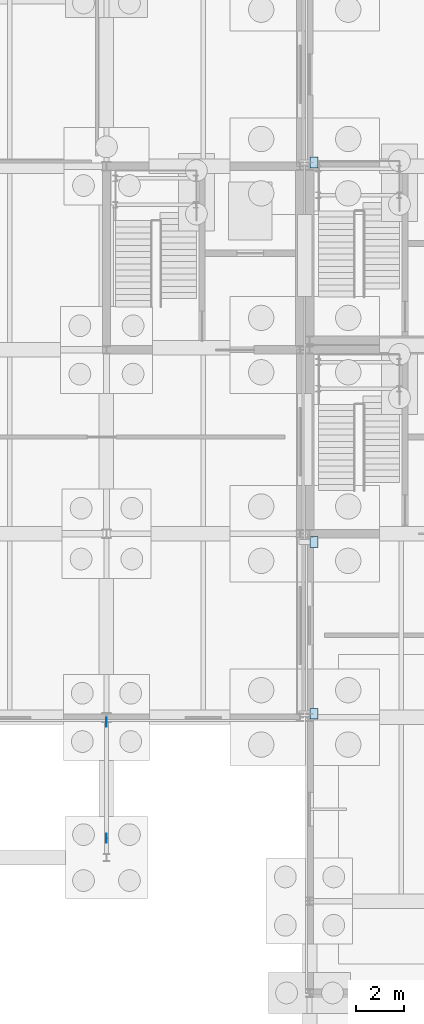
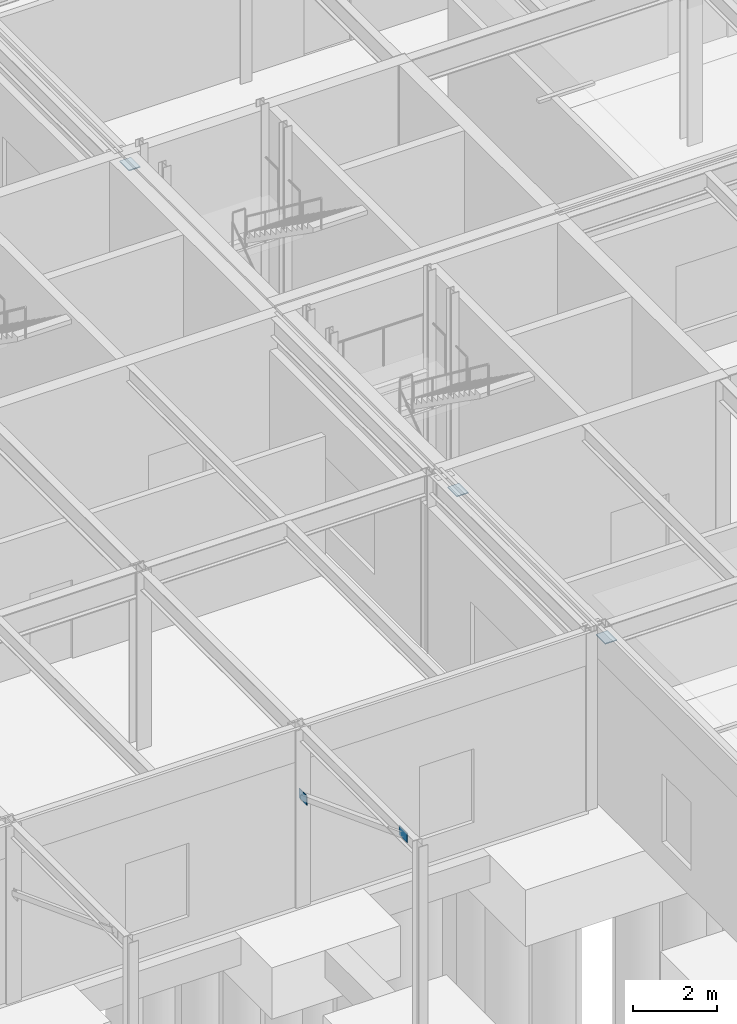
# One storey, part 38 of 62: 5 plates.
"""IFC4 building model written with IfcOpenShell, lengths in metres."""

from ifc_helpers import new_model, si_unit, direction, frame, origin, origin_2d, place, context, subcontext, project, spatial, rectangle, extrude, material, layer, layer_set, type_object, element, save


model = new_model("IFC4")

# Units and contexts
model_context = context("Model", 3, precision=1e-05, world=origin(), true_north=direction((0.0, 1.0)))
body_context = subcontext(model_context, "Body", "Model", "MODEL_VIEW")
ifc_project = project(units=[si_unit("LENGTHUNIT", "METRE"), si_unit("AREAUNIT", "SQUARE_METRE"), si_unit("VOLUMEUNIT", "CUBIC_METRE"), si_unit("PLANEANGLEUNIT", "RADIAN"), si_unit("MASSUNIT", "GRAM", prefix="KILO")], contexts=[model_context])

# Site, building, storey
site_placement = place(None, origin())
site = spatial("IfcSite", under=ifc_project, at=site_placement, CompositionType="ELEMENT")
building_placement = place(site_placement, origin())
building = spatial("IfcBuilding", under=site, at=building_placement, Name="Zulena Civic Courthouse", CompositionType="ELEMENT")
storey_placement = place(building_placement, origin())
storey = spatial("IfcBuildingStorey", under=building, at=storey_placement, Name="L00", CompositionType="ELEMENT", Elevation=0.0)

# Plates
ifc_material = material(Name="Steel ASTM A572 Grade 50", Category="steel")
ifc_layer_1 = layer(ifc_material, 0.028076171875)
ifc_layer_set_1 = layer_set([ifc_layer_1], Name="Steel ASTM A572 Grade 50")
plate_type_1 = type_object("IfcPlateType", Name="BearingPlate_450x320x28", PredefinedType="SHEET", material=ifc_layer_set_1)
for number, where, z_axis, x_axis, name in (
    (1, (124.580078125, 15.35009765625, 4.6201171875), (0.0, 0.0, 1.0), (1.0, 0.0, 0.0), "plate:ptfe:BR-41:L01:15.35"),
    (2, (124.580078125, 22.449951171875, 4.6201171875), (0.0, 0.0, 1.0), (1.0, 0.0, 0.0), "plate:ptfe:BR-41:L01:22.45"),
    (3, (124.580078125, 38.14990234375, 4.6201171875), (0.0, 0.0, 1.0), (1.0, 0.0, 0.0), "plate:ptfe:BR-43:L01:38.15"),
):
    element("IfcPlate", number, at=place(storey_placement, frame(where, z_axis=z_axis, x_axis=x_axis)), inside=storey, type_object=plate_type_1, Name=name, PredefinedType="SHEET", context=body_context, shape_type="SweptSolid", body=[
        extrude(rectangle(XDim=0.320068359375, YDim=0.449951171875, at=origin_2d()), origin(), (0.0, 0.0, 1.0), 0.028076171875),
    ])
ifc_layer_2 = layer(ifc_material, 0.02197265625)
ifc_layer_set_2 = layer_set([ifc_layer_2], Name="Steel ASTM A572 Grade 50")
plate_type_2 = type_object("IfcPlateType", Name="GussetPlate_380x280x22", PredefinedType="SHEET", material=ifc_layer_set_2)
for number, where, z_axis, x_axis, name in (
    (4, (116.0, 15.0, 3.06005859375), (0.0, 0.0, 1.0), (1.0, 0.0, 0.0), "plate:can:116.0:0"),
    (5, (116.0, 10.199951171875, 4.8798828125), (0.0, 0.0, 1.0), (1.0, 0.0, 0.0), "plate:can:116.0:1"),
):
    element("IfcPlate", number, at=place(storey_placement, frame(where, z_axis=z_axis, x_axis=x_axis)), inside=storey, type_object=plate_type_2, Name=name, PredefinedType="SHEET", context=body_context, shape_type="SweptSolid", body=[
        extrude(rectangle(XDim=0.02197265625, YDim=0.3798828125, at=origin_2d()), origin(), (0.0, 0.0, 1.0), 0.280029296875),
    ])

save(model, "model.ifc")
